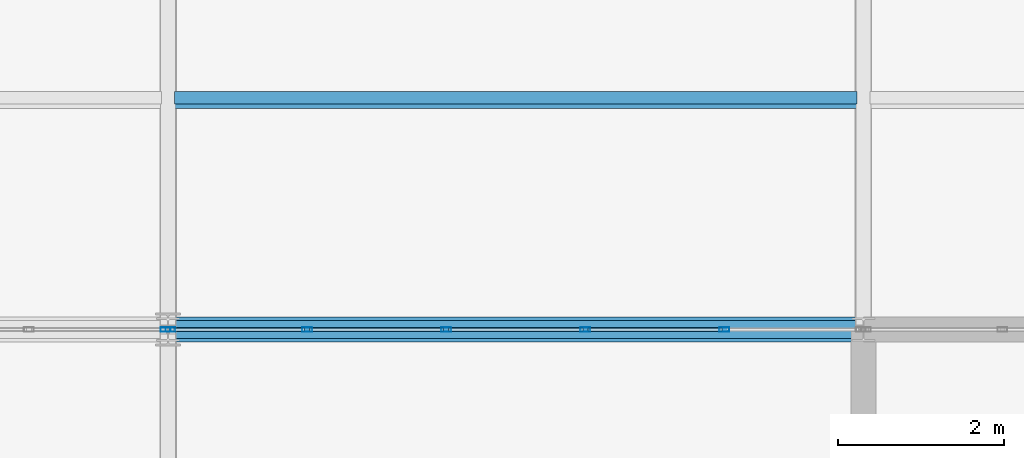
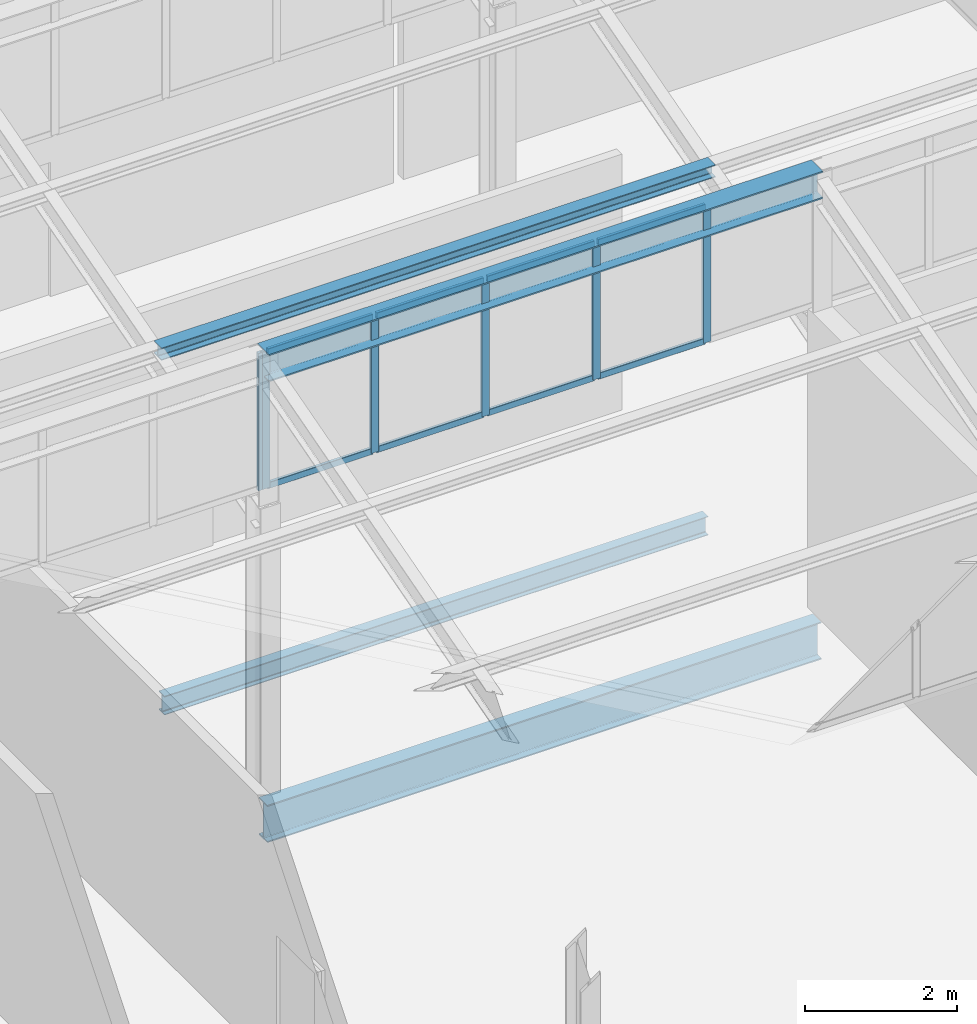
# One storey, part 24 of 53: 15 members, 3 beams, 2 elements without a shape of their own.
"""IFC4 building model written with IfcOpenShell, lengths in metres."""

import ifcopenshell
import ifcopenshell.guid

model = None  # the IFC model being written
_history = None  # IfcOwnerHistory: only IFC2X3 demands one
_inside = {}  # id of a spatial element -> (the spatial element, [elements in it])
_under = {}  # id of a project, library or spatial element -> (it, [spatial elements below it])
_declared = {}  # id of a project -> (the project, [libraries it declares])
_typed = {}  # id of a type object -> (the type object, [elements of that type])
_made_of = {}  # id of a material, layer set ... -> (it, [elements and type objects made of it])


def new_model(schema):
    """Start an empty IFC model of exactly this schema.

    Asked for "IFC4X3", IfcOpenShell would pick the latest addendum, in which some entities
    have other attributes; the version numbers below select the first issue.
    IFC2X3 requires an IfcOwnerHistory on every rooted entity: one is made here for all.
    """
    global model, _history
    if schema == "IFC4X3":
        model = ifcopenshell.file(schema_version=(4, 3, 0, 0))
    else:
        model = ifcopenshell.file(schema=schema)
    _inside.clear()
    _under.clear()
    _declared.clear()
    _typed.clear()
    _made_of.clear()
    _history = None
    if model.schema == "IFC2X3":
        org = make("IfcOrganization", Name="unknown")
        user = make(
            "IfcPersonAndOrganization",
            ThePerson=make("IfcPerson", FamilyName="unknown"),
            TheOrganization=org,
        )
        app = make(
            "IfcApplication",
            ApplicationDeveloper=org,
            Version="unknown",
            ApplicationFullName="unknown",
            ApplicationIdentifier="unknown",
        )
        _history = make(
            "IfcOwnerHistory",
            OwningUser=user,
            OwningApplication=app,
            ChangeAction="ADDED",
            CreationDate=0,
        )
    return model


def make(cls, **values):
    """One entity of the class cls with the attributes given. An attribute that is None is left unset."""
    return model.create_entity(
        cls, **{name: value for name, value in values.items() if value is not None}
    )


def rooted(cls, **values):
    """An entity with a GlobalId (a new one), such as an element, a storey or a relation."""
    return make(cls, GlobalId=ifcopenshell.guid.new(), OwnerHistory=_history, **values)


def si_unit(unit_type, name, prefix=None):
    """IfcSIUnit, for example si_unit("LENGTHUNIT", "METRE", prefix="MILLI")."""
    return make("IfcSIUnit", UnitType=unit_type, Prefix=prefix, Name=name)


def assignment(units):
    """IfcUnitAssignment: the units of a project."""
    return None if units is None else make("IfcUnitAssignment", Units=units)


def point(xyz):
    """IfcCartesianPoint."""
    return None if xyz is None else make("IfcCartesianPoint", Coordinates=xyz)


def direction(xyz):
    """IfcDirection."""
    return None if xyz is None else make("IfcDirection", DirectionRatios=xyz)


def frame(location, z_axis=None, x_axis=None):
    """IfcAxis2Placement3D, a coordinate frame: its origin and axes. An axis left out is left unset."""
    return make(
        "IfcAxis2Placement3D",
        Location=point(location),
        Axis=direction(z_axis),
        RefDirection=direction(x_axis),
    )


def frame_2d(location, x_axis=None):
    """IfcAxis2Placement2D, a coordinate frame in the plane: its origin and x axis."""
    return make(
        "IfcAxis2Placement2D", Location=point(location), RefDirection=direction(x_axis)
    )


def origin():
    """The frame at (0, 0, 0) with its axes left unset."""
    return frame((0.0, 0.0, 0.0))


def origin_2d():
    """The frame at (0, 0) in the plane with its x axis left unset."""
    return frame_2d((0.0, 0.0))


def place(relative_to, where):
    """IfcLocalPlacement: puts the frame where relative to a parent placement (None: the world)."""
    return make(
        "IfcLocalPlacement", PlacementRelTo=relative_to, RelativePlacement=where
    )


def context(
    kind, dimensions, precision=None, world=None, true_north=None, identifier=None
):
    """IfcGeometricRepresentationContext, for example the 3D "Model" context."""
    return make(
        "IfcGeometricRepresentationContext",
        ContextIdentifier=identifier,
        ContextType=kind,
        CoordinateSpaceDimension=dimensions,
        Precision=precision,
        WorldCoordinateSystem=world,
        TrueNorth=true_north,
    )


def subcontext(parent, identifier, kind, view, scale=None):
    """IfcGeometricRepresentationSubContext, for example "Body" below "Model"."""
    return make(
        "IfcGeometricRepresentationSubContext",
        ContextIdentifier=identifier,
        ContextType=kind,
        ParentContext=parent,
        TargetScale=scale,
        TargetView=view,
    )


def project(units=None, contexts=None):
    """IfcProject with its units and contexts."""
    return rooted(
        "IfcProject",
        Name="project",
        RepresentationContexts=contexts,
        UnitsInContext=assignment(units),
    )


def spatial(cls, under=None, at=None, **own):
    """A site, building, storey or space (cls), placed at a placement, below another one or the project."""
    s = rooted(cls, ObjectPlacement=at, **own)
    if under is not None:
        _under.setdefault(under.id(), (under, []))[1].append(s)
    return s


def profile(cls, at=None, kind="AREA", **sizes):
    """A parametric profile (cls). Its sizes go by their IFC names, for example OverallWidth=200.0."""
    return make(cls, ProfileType=kind, Position=at, **sizes)


def hollow_rectangle(**sizes):
    """IfcRectangleHollowProfileDef."""
    return profile("IfcRectangleHollowProfileDef", **sizes)


def i_section(**sizes):
    """IfcIShapeProfileDef."""
    return profile("IfcIShapeProfileDef", **sizes)


def extrude(swept, where, along, depth):
    """IfcExtrudedAreaSolid: the profile swept, set in the frame where, extruded along a direction by depth."""
    return make(
        "IfcExtrudedAreaSolid",
        SweptArea=swept,
        Position=where,
        ExtrudedDirection=direction(along),
        Depth=depth,
    )


def shape(context_of_items, identifier, shape_type, items):
    """IfcShapeRepresentation: the items that make up one representation, for example the "Body"."""
    return make(
        "IfcShapeRepresentation",
        ContextOfItems=context_of_items,
        RepresentationIdentifier=identifier,
        RepresentationType=shape_type,
        Items=items,
    )


def material(Name=None, Category=None):
    """IfcMaterial."""
    return make("IfcMaterial", Name=Name, Category=Category)


def layer(
    of_material, thickness, ventilated=None, Name=None, Category=None, Priority=None
):
    """IfcMaterialLayer: one layer of a wall or slab, of a material (None: an air gap)."""
    return make(
        "IfcMaterialLayer",
        Material=of_material,
        LayerThickness=thickness,
        IsVentilated=ventilated,
        Name=Name,
        Category=Category,
        Priority=Priority,
    )


def layer_set(layers, Name=None):
    """IfcMaterialLayerSet."""
    return make("IfcMaterialLayerSet", MaterialLayers=layers, LayerSetName=Name)


def material_profile(
    of_material, cross_section, Name=None, Category=None, Priority=None
):
    """IfcMaterialProfile: a cross section and its material."""
    return make(
        "IfcMaterialProfile",
        Name=Name,
        Material=of_material,
        Profile=cross_section,
        Priority=Priority,
        Category=Category,
    )


def profile_set(profiles, Name=None, composite=None):
    """IfcMaterialProfileSet."""
    return make(
        "IfcMaterialProfileSet",
        Name=Name,
        MaterialProfiles=profiles,
        CompositeProfile=composite,
    )


def made_of(thing, what):
    """Note that an element or type object is made of a material, layer set ...; save() writes the relation."""
    if what is not None:
        _made_of.setdefault(what.id(), (what, []))[1].append(thing)
    return thing


def type_object(cls, material=None, **own):
    """A type object (cls), such as IfcWallType, which elements share."""
    return made_of(rooted(cls, **own), material)


def element(
    cls,
    number,
    at=None,
    inside=None,
    cuts=None,
    type_object=None,
    material=None,
    context=None,
    identifier="Body",
    shape_type=None,
    held_by="IfcProductDefinitionShape",
    body=None,
    shapes=None,
    **own,
):
    """One element of the class cls, such as IfcWall. Its Tag is "e" and its number.

    at: its placement. inside: the storey or other place that contains it. cuts: it is an
    opening in that element (IfcRelVoidsElement). A single representation is given by context,
    identifier, shape_type and body (its items); several are given by shapes. held_by: the class
    of the entity that holds the representations. save() writes the other relations.
    """
    e = rooted(cls, Tag="e%d" % number, ObjectPlacement=at, **own)
    if body is not None:
        shapes = [shape(context, identifier, shape_type, body)]
    if shapes is not None:
        e.Representation = make(held_by, Representations=shapes)
    if inside is not None:
        _inside.setdefault(inside.id(), (inside, []))[1].append(e)
    if cuts is not None:
        rooted(
            "IfcRelVoidsElement", RelatingBuildingElement=cuts, RelatedOpeningElement=e
        )
    if type_object is not None:
        _typed.setdefault(type_object.id(), (type_object, []))[1].append(e)
    return made_of(e, material)


def aggregate(whole, parts):
    """IfcRelAggregates: a whole, such as a stair, and the parts it consists of."""
    return rooted("IfcRelAggregates", RelatingObject=whole, RelatedObjects=parts)


def save(model, path):
    """Write the relations noted so far, then the file.

    IfcRelAggregates (storeys below a building ...), IfcRelContainedInSpatialStructure (elements
    in a storey), IfcRelDefinesByType, IfcRelAssociatesMaterial and IfcRelDeclares: one each for
    every whole, place, type object, material and project.
    """
    for whole, parts in _under.values():
        aggregate(whole, parts)
    for where, things in _inside.values():
        rooted(
            "IfcRelContainedInSpatialStructure",
            RelatedElements=things,
            RelatingStructure=where,
        )
    for kind, things in _typed.values():
        rooted("IfcRelDefinesByType", RelatedObjects=things, RelatingType=kind)
    for what, things in _made_of.values():
        rooted("IfcRelAssociatesMaterial", RelatedObjects=things, RelatingMaterial=what)
    for by, libraries in _declared.values():
        rooted("IfcRelDeclares", RelatingContext=by, RelatedDefinitions=libraries)
    model.write(path)


model = new_model("IFC4")

# Units and contexts
model_context = context("Model", 3, precision=1e-05, world=origin(), true_north=direction((0.0, 1.0)))
body_context = subcontext(model_context, "Body", "Model", "MODEL_VIEW")
ifc_project = project(units=[si_unit("LENGTHUNIT", "METRE"), si_unit("AREAUNIT", "SQUARE_METRE"), si_unit("VOLUMEUNIT", "CUBIC_METRE"), si_unit("PLANEANGLEUNIT", "RADIAN"), si_unit("MASSUNIT", "GRAM", prefix="KILO")], contexts=[model_context])

# Site, building, storey
site_placement = place(None, origin())
site = spatial("IfcSite", under=ifc_project, at=site_placement, CompositionType="ELEMENT")
building_placement = place(site_placement, origin())
building = spatial("IfcBuilding", under=site, at=building_placement, Name="Qalvenar Corner Mobility Hub", CompositionType="ELEMENT")
storey_placement = place(building_placement, frame((0.0, 0.0, 26.39990234375)))
storey = spatial("IfcBuildingStorey", under=building, at=storey_placement, Name="L06", CompositionType="ELEMENT", Elevation=26.39990234375)

# Beams
ifc_material_1 = material(Name="Steel S355", Category="steel")
ifc_material_profile_1 = material_profile(ifc_material_1, i_section(OverallWidth=0.300048828125, OverallDepth=0.43994140625, WebThickness=0.011474609375, FlangeThickness=0.02099609375, FilletRadius=0.027099609375, at=origin_2d()), Name="HEA450")
ifc_profile_set_1 = profile_set([ifc_material_profile_1], Name="Steel S355")
beam_type_1 = type_object("IfcBeamType", Name="BM-HEA450", PredefinedType="BEAM", material=ifc_profile_set_1)
beam_1_placement = place(storey_placement, frame((25.199951171875, 16.800048828125, 6.81005859375), z_axis=(1.0, 0.0, 0.0), x_axis=(0.0, 1.0, 0.0)))
element("IfcBeam", 1, at=beam_1_placement, inside=storey, type_object=beam_type_1, Name="Sawtooth Ridge Girder V3RDG-2-4", PredefinedType="BEAM", context=body_context, shape_type="SweptSolid", body=[
    extrude(i_section(OverallWidth=0.300048828125, OverallDepth=0.43994140625, WebThickness=0.011474609375, FlangeThickness=0.02099609375, FilletRadius=0.027099609375, at=origin_2d()), origin(), (0.0, 0.0, 1.0), 8.400146484375),
])
ifc_material_profile_2 = material_profile(ifc_material_1, i_section(OverallWidth=0.219970703125, OverallDepth=0.60009765625, WebThickness=0.011962890625, FlangeThickness=0.01904296875, FilletRadius=0.02392578125, at=origin_2d()), Name="IPE600")
ifc_profile_set_2 = profile_set([ifc_material_profile_2], Name="Steel S355")
beam_type_2 = type_object("IfcBeamType", Name="BM-IPE600", PredefinedType="BEAM", material=ifc_profile_set_2)
beam_2_placement = place(storey_placement, frame((25.199951171875, 16.800048828125, -0.52001953125), z_axis=(1.0, 0.0, 0.0), x_axis=(0.0, 1.0, 0.0)))
element("IfcBeam", 2, at=beam_2_placement, inside=storey, type_object=beam_type_2, Name="Primary Steel Girder GX-3065", PredefinedType="BEAM", context=body_context, shape_type="SweptSolid", body=[
    extrude(i_section(OverallWidth=0.219970703125, OverallDepth=0.60009765625, WebThickness=0.011962890625, FlangeThickness=0.01904296875, FilletRadius=0.02392578125, at=origin_2d()), origin(), (0.0, 0.0, 1.0), 8.400146484375),
])
ifc_material_profile_3 = material_profile(ifc_material_1, i_section(OverallWidth=0.14990234375, OverallDepth=0.300048828125, WebThickness=0.007080078125, FlangeThickness=0.0107421875, FilletRadius=0.014892578125, at=origin_2d()), Name="IPE300")
ifc_profile_set_3 = profile_set([ifc_material_profile_3], Name="Steel S355")
beam_type_3 = type_object("IfcBeamType", Name="BM-JST300", PredefinedType="JOIST", material=ifc_profile_set_3)
beam_3_placement = place(storey_placement, frame((25.278076171875, 19.60009765625, -0.369873046875), z_axis=(1.0, 0.0, 0.0), x_axis=(0.0, 1.0, 0.0)))
element("IfcBeam", 3, at=beam_3_placement, inside=storey, type_object=beam_type_3, Name="Composite Floor Joist J-3128", PredefinedType="JOIST", context=body_context, shape_type="SweptSolid", body=[
    extrude(i_section(OverallWidth=0.14990234375, OverallDepth=0.300048828125, WebThickness=0.007080078125, FlangeThickness=0.0107421875, FilletRadius=0.014892578125, at=origin_2d()), origin(), (0.0, 0.0, 1.0), 8.243896484375),
])

# Curtain wall, member
ifc_material_2 = material(Name="Anodised Aluminium and Low-E Glazing", Category="aluminium")
ifc_layer = layer(ifc_material_2, 0.1201171875)
ifc_layer_set = layer_set([ifc_layer], Name="Anodised Aluminium and Low-E Glazing")
curtain_wall_type = type_object("IfcCurtainWallType", Name="CW-CLR-84X24", PredefinedType="NOTDEFINED", material=ifc_layer_set)
curtain_wall_1_placement = place(storey_placement, origin())
curtain_wall_1 = element("IfcCurtainWall", 4, at=curtain_wall_1_placement, inside=storey, type_object=curtain_wall_type, Name="Glazed Curtain Wall CW-V3-SAW-2-2", PredefinedType="NOTDEFINED")
ifc_material_3 = material(Name="Anodised Aluminium 6063-T6", Category="aluminium")
ifc_material_profile_4 = material_profile(ifc_material_3, hollow_rectangle(XDim=0.054931640625, YDim=0.1201171875, WallThickness=0.00341796875, InnerFilletRadius=0.00341796875, OuterFilletRadius=0.007080078125, at=origin_2d()), Name="RHS120x55x3.5")
ifc_profile_set_4 = profile_set([ifc_material_profile_4], Name="Anodised Aluminium 6063-T6")
member_type_1 = type_object("IfcMemberType", Name="CW-MUL120", PredefinedType="MULLION", material=ifc_profile_set_4)
member_1_placement = place(storey_placement, frame((25.169921875, 16.800048828125, 4.800048828125), z_axis=(0.0, 0.0, 1.0), x_axis=(0.0, -1.0, 0.0)))
member_1 = element("IfcMember", 5, at=member_1_placement, type_object=member_type_1, Name="CW-12 mullion 1", PredefinedType="MULLION", context=body_context, shape_type="SweptSolid", body=[
    extrude(hollow_rectangle(XDim=0.054931640625, YDim=0.1201171875, WallThickness=0.00341796875, InnerFilletRadius=0.00341796875, OuterFilletRadius=0.007080078125, at=origin_2d()), origin(), (0.0, 0.0, 1.0), 2.199951171875),
])
aggregate(curtain_wall_1, [member_1])

# Curtain wall, members
curtain_wall_2_placement = place(storey_placement, origin())
curtain_wall_2 = element("IfcCurtainWall", 6, at=curtain_wall_2_placement, inside=storey, type_object=curtain_wall_type, Name="Glazed Curtain Wall CW-V3-SAW-2-3", PredefinedType="NOTDEFINED")
member_2_placement = place(storey_placement, frame((31.919921875, 16.800048828125, 4.800048828125), z_axis=(0.0, 0.0, 1.0), x_axis=(0.0, -1.0, 0.0)))
member_2 = element("IfcMember", 7, at=member_2_placement, type_object=member_type_1, Name="CW-12 mullion 2", PredefinedType="MULLION", context=body_context, shape_type="SweptSolid", body=[
    extrude(hollow_rectangle(XDim=0.054931640625, YDim=0.1201171875, WallThickness=0.00341796875, InnerFilletRadius=0.00341796875, OuterFilletRadius=0.007080078125, at=origin_2d()), origin(), (0.0, 0.0, 1.0), 2.199951171875),
])
member_3_placement = place(storey_placement, frame((30.239990234375, 16.800048828125, 4.800048828125), z_axis=(0.0, 0.0, 1.0), x_axis=(0.0, -1.0, 0.0)))
member_3 = element("IfcMember", 8, at=member_3_placement, type_object=member_type_1, Name="CW-12 mullion 3", PredefinedType="MULLION", context=body_context, shape_type="SweptSolid", body=[
    extrude(hollow_rectangle(XDim=0.054931640625, YDim=0.1201171875, WallThickness=0.00341796875, InnerFilletRadius=0.00341796875, OuterFilletRadius=0.007080078125, at=origin_2d()), origin(), (0.0, 0.0, 1.0), 2.199951171875),
])
member_4_placement = place(storey_placement, frame((28.56005859375, 16.800048828125, 4.800048828125), z_axis=(0.0, 0.0, 1.0), x_axis=(0.0, -1.0, 0.0)))
member_4 = element("IfcMember", 9, at=member_4_placement, type_object=member_type_1, Name="CW-12 mullion 4", PredefinedType="MULLION", context=body_context, shape_type="SweptSolid", body=[
    extrude(hollow_rectangle(XDim=0.054931640625, YDim=0.1201171875, WallThickness=0.00341796875, InnerFilletRadius=0.00341796875, OuterFilletRadius=0.007080078125, at=origin_2d()), origin(), (0.0, 0.0, 1.0), 2.199951171875),
])
member_5_placement = place(storey_placement, frame((26.8798828125, 16.800048828125, 4.800048828125), z_axis=(0.0, 0.0, 1.0), x_axis=(0.0, -1.0, 0.0)))
member_5 = element("IfcMember", 10, at=member_5_placement, type_object=member_type_1, Name="CW-12 mullion 5", PredefinedType="MULLION", context=body_context, shape_type="SweptSolid", body=[
    extrude(hollow_rectangle(XDim=0.054931640625, YDim=0.1201171875, WallThickness=0.00341796875, InnerFilletRadius=0.00341796875, OuterFilletRadius=0.007080078125, at=origin_2d()), origin(), (0.0, 0.0, 1.0), 2.199951171875),
])
member_6_placement = place(storey_placement, frame((25.22998046875, 16.800048828125, 4.800048828125), z_axis=(0.0, 0.0, 1.0), x_axis=(0.0, -1.0, 0.0)))
member_6 = element("IfcMember", 11, at=member_6_placement, type_object=member_type_1, Name="CW-12 mullion 6", PredefinedType="MULLION", context=body_context, shape_type="SweptSolid", body=[
    extrude(hollow_rectangle(XDim=0.054931640625, YDim=0.1201171875, WallThickness=0.00341796875, InnerFilletRadius=0.00341796875, OuterFilletRadius=0.007080078125, at=origin_2d()), origin(), (0.0, 0.0, 1.0), 2.199951171875),
])
ifc_material_profile_5 = material_profile(ifc_material_3, hollow_rectangle(XDim=0.050048828125, YDim=0.10009765625, WallThickness=0.0029296875, InnerFilletRadius=0.0029296875, OuterFilletRadius=0.006103515625, at=origin_2d()), Name="RHS100x50x3")
ifc_profile_set_5 = profile_set([ifc_material_profile_5], Name="Anodised Aluminium 6063-T6")
member_type_2 = type_object("IfcMemberType", Name="CW-TRN100", PredefinedType="USERDEFINED", material=ifc_profile_set_5)
member_7_placement = place(storey_placement, frame((31.889892578125, 16.800048828125, 4.82763671875), z_axis=(-1.0, 0.0, 0.0), x_axis=(0.0, -1.0, 0.0)))
member_7 = element("IfcMember", 12, at=member_7_placement, type_object=member_type_2, Name="CW-12 transom 2.1", ObjectType="TRANSOM", PredefinedType="USERDEFINED", context=body_context, shape_type="SweptSolid", body=[
    extrude(hollow_rectangle(XDim=0.050048828125, YDim=0.10009765625, WallThickness=0.0029296875, InnerFilletRadius=0.0029296875, OuterFilletRadius=0.006103515625, at=origin_2d()), origin(), (0.0, 0.0, 1.0), 1.619873046875),
])
member_8_placement = place(storey_placement, frame((31.889892578125, 16.800048828125, 6.97265625), z_axis=(-1.0, 0.0, 0.0), x_axis=(0.0, -1.0, 0.0)))
member_8 = element("IfcMember", 13, at=member_8_placement, type_object=member_type_2, Name="CW-12 transom 2.2", ObjectType="TRANSOM", PredefinedType="USERDEFINED", context=body_context, shape_type="SweptSolid", body=[
    extrude(hollow_rectangle(XDim=0.050048828125, YDim=0.10009765625, WallThickness=0.0029296875, InnerFilletRadius=0.0029296875, OuterFilletRadius=0.006103515625, at=origin_2d()), origin(), (0.0, 0.0, 1.0), 1.619873046875),
])
member_9_placement = place(storey_placement, frame((30.2099609375, 16.800048828125, 4.82763671875), z_axis=(-1.0, 0.0, 0.0), x_axis=(0.0, -1.0, 0.0)))
member_9 = element("IfcMember", 14, at=member_9_placement, type_object=member_type_2, Name="CW-12 transom 3.1", ObjectType="TRANSOM", PredefinedType="USERDEFINED", context=body_context, shape_type="SweptSolid", body=[
    extrude(hollow_rectangle(XDim=0.050048828125, YDim=0.10009765625, WallThickness=0.0029296875, InnerFilletRadius=0.0029296875, OuterFilletRadius=0.006103515625, at=origin_2d()), origin(), (0.0, 0.0, 1.0), 1.619873046875),
])
member_10_placement = place(storey_placement, frame((30.2099609375, 16.800048828125, 6.97265625), z_axis=(-1.0, 0.0, 0.0), x_axis=(0.0, -1.0, 0.0)))
member_10 = element("IfcMember", 15, at=member_10_placement, type_object=member_type_2, Name="CW-12 transom 3.2", ObjectType="TRANSOM", PredefinedType="USERDEFINED", context=body_context, shape_type="SweptSolid", body=[
    extrude(hollow_rectangle(XDim=0.050048828125, YDim=0.10009765625, WallThickness=0.0029296875, InnerFilletRadius=0.0029296875, OuterFilletRadius=0.006103515625, at=origin_2d()), origin(), (0.0, 0.0, 1.0), 1.619873046875),
])
member_11_placement = place(storey_placement, frame((28.530029296875, 16.800048828125, 4.82763671875), z_axis=(-1.0, 0.0, 0.0), x_axis=(0.0, -1.0, 0.0)))
member_11 = element("IfcMember", 16, at=member_11_placement, type_object=member_type_2, Name="CW-12 transom 4.1", ObjectType="TRANSOM", PredefinedType="USERDEFINED", context=body_context, shape_type="SweptSolid", body=[
    extrude(hollow_rectangle(XDim=0.050048828125, YDim=0.10009765625, WallThickness=0.0029296875, InnerFilletRadius=0.0029296875, OuterFilletRadius=0.006103515625, at=origin_2d()), origin(), (0.0, 0.0, 1.0), 1.6201171875),
])
member_12_placement = place(storey_placement, frame((28.530029296875, 16.800048828125, 6.97265625), z_axis=(-1.0, 0.0, 0.0), x_axis=(0.0, -1.0, 0.0)))
member_12 = element("IfcMember", 17, at=member_12_placement, type_object=member_type_2, Name="CW-12 transom 4.2", ObjectType="TRANSOM", PredefinedType="USERDEFINED", context=body_context, shape_type="SweptSolid", body=[
    extrude(hollow_rectangle(XDim=0.050048828125, YDim=0.10009765625, WallThickness=0.0029296875, InnerFilletRadius=0.0029296875, OuterFilletRadius=0.006103515625, at=origin_2d()), origin(), (0.0, 0.0, 1.0), 1.6201171875),
])
member_13_placement = place(storey_placement, frame((26.85009765625, 16.800048828125, 4.82763671875), z_axis=(-1.0, 0.0, 0.0), x_axis=(0.0, -1.0, 0.0)))
member_13 = element("IfcMember", 18, at=member_13_placement, type_object=member_type_2, Name="CW-12 transom 5.1", ObjectType="TRANSOM", PredefinedType="USERDEFINED", context=body_context, shape_type="SweptSolid", body=[
    extrude(hollow_rectangle(XDim=0.050048828125, YDim=0.10009765625, WallThickness=0.0029296875, InnerFilletRadius=0.0029296875, OuterFilletRadius=0.006103515625, at=origin_2d()), origin(), (0.0, 0.0, 1.0), 1.590087890625),
])
member_14_placement = place(storey_placement, frame((26.85009765625, 16.800048828125, 6.97265625), z_axis=(-1.0, 0.0, 0.0), x_axis=(0.0, -1.0, 0.0)))
member_14 = element("IfcMember", 19, at=member_14_placement, type_object=member_type_2, Name="CW-12 transom 5.2", ObjectType="TRANSOM", PredefinedType="USERDEFINED", context=body_context, shape_type="SweptSolid", body=[
    extrude(hollow_rectangle(XDim=0.050048828125, YDim=0.10009765625, WallThickness=0.0029296875, InnerFilletRadius=0.0029296875, OuterFilletRadius=0.006103515625, at=origin_2d()), origin(), (0.0, 0.0, 1.0), 1.590087890625),
])
aggregate(curtain_wall_2, [member_2, member_3, member_4, member_5, member_6, member_7, member_8, member_9, member_10, member_11, member_12, member_13, member_14])

# Member
ifc_material_profile_6 = material_profile(ifc_material_1, i_section(OverallWidth=0.199951171875, OverallDepth=0.199951171875, WebThickness=0.009033203125, FlangeThickness=0.014892578125, FilletRadius=0.01806640625, at=origin_2d()), Name="HEB200")
ifc_profile_set_6 = profile_set([ifc_material_profile_6], Name="Steel S355")
member_type_3 = type_object("IfcMemberType", Name="PR-RHS200", PredefinedType="PURLIN", material=ifc_profile_set_6)
member_15_placement = place(storey_placement, frame((25.199951171875, 19.572021484375, 5.322021484375), z_axis=(1.0, 0.0, 0.0), x_axis=(0.0, 1.0, 0.0)))
element("IfcMember", 20, at=member_15_placement, inside=storey, type_object=member_type_3, Name="Sawtooth Roof Purlin PR-V3-3-4-33", PredefinedType="PURLIN", context=body_context, shape_type="SweptSolid", body=[
    extrude(i_section(OverallWidth=0.199951171875, OverallDepth=0.199951171875, WebThickness=0.009033203125, FlangeThickness=0.014892578125, FilletRadius=0.01806640625, at=origin_2d()), origin(), (0.0, 0.0, 1.0), 8.400146484375),
])

save(model, "model.ifc")
